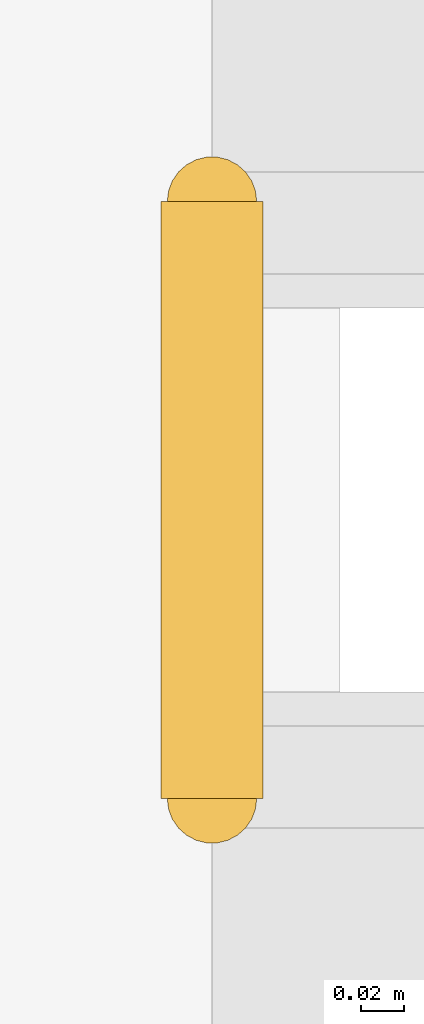
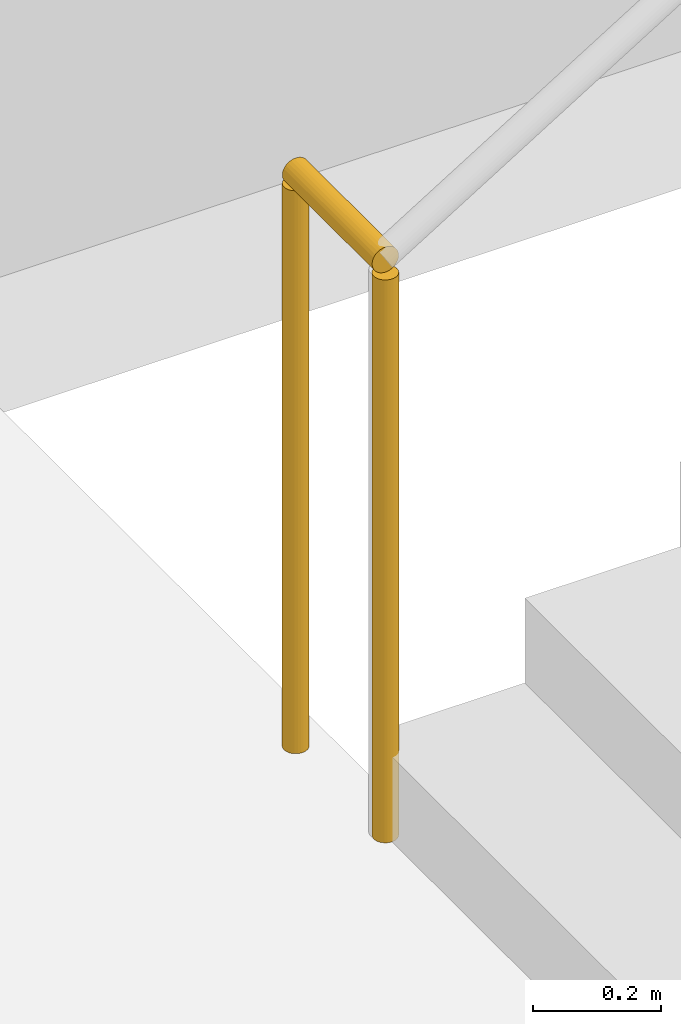
# One storey, part 88 of 92: 1 railing.
"""IFC4 building model written with IfcOpenShell, lengths in metres."""

from ifc_helpers import new_model, si_unit, direction, frame, origin, origin_2d, place, context, subcontext, project, spatial, circle, extrude, material, type_object, element, save


model = new_model("IFC4")

# Units and contexts
model_context = context("Model", 3, precision=1e-05, world=origin(), true_north=direction((0.0, 1.0)))
body_context = subcontext(model_context, "Body", "Model", "MODEL_VIEW")
ifc_project = project(units=[si_unit("LENGTHUNIT", "METRE"), si_unit("AREAUNIT", "SQUARE_METRE"), si_unit("VOLUMEUNIT", "CUBIC_METRE"), si_unit("PLANEANGLEUNIT", "RADIAN"), si_unit("MASSUNIT", "GRAM", prefix="KILO")], contexts=[model_context])

# Site, building, storey
site_placement = place(None, origin())
site = spatial("IfcSite", under=ifc_project, at=site_placement, CompositionType="ELEMENT")
building_placement = place(site_placement, origin())
building = spatial("IfcBuilding", under=site, at=building_placement, Name="Kernevlak Ridge Housing Community", CompositionType="ELEMENT")
storey_placement = place(building_placement, frame((0.0, 0.0, 4.199951171875)))
storey = spatial("IfcBuildingStorey", under=building, at=storey_placement, Name="L01", CompositionType="ELEMENT", Elevation=4.199951171875)

# Railing
ifc_material = material(Name="Steel S355", Category="steel")
railing_type = type_object("IfcRailingType", Name="GR-02", PredefinedType="GUARDRAIL", material=ifc_material)
railing_placement = place(storey_placement, frame((134.239990234375, 94.010009765625, 0.0)))
element("IfcRailing", 1, at=railing_placement, inside=storey, type_object=railing_type, Name="Stair ST-B2 L01 well slot guard", PredefinedType="GUARDRAIL", context=body_context, shape_type="SweptSolid", body=[
    extrude(circle(Radius=0.02392578125, at=origin_2d()), frame((0.0, 0.0, 1.09619140625), z_axis=(0.0, 1.0, 0.0), x_axis=(-1.0, 0.0, 0.0)), (0.0, 0.0, 1.0), 0.280029296875),
    extrude(circle(Radius=0.02099609375, at=origin_2d()), origin(), (0.0, 0.0, 1.0), 1.072021484375),
    extrude(circle(Radius=0.02099609375, at=origin_2d()), frame((0.0, 0.280029296875, 0.0)), (0.0, 0.0, 1.0), 1.072021484375),
])

save(model, "model.ifc")
